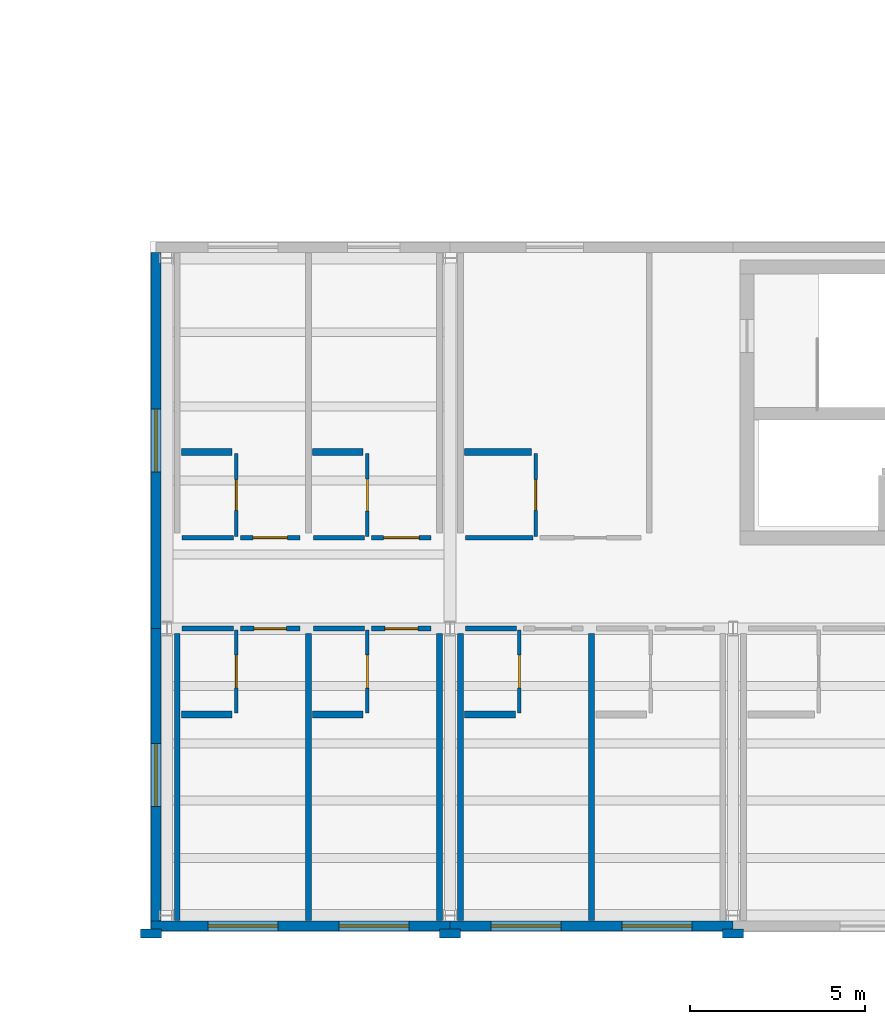
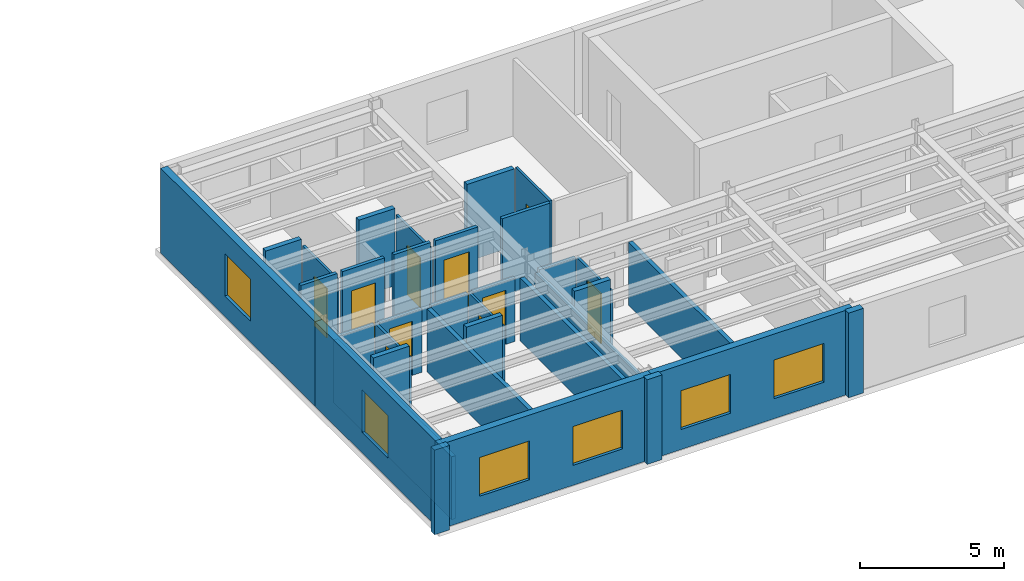
# One storey, part 11 of 27: 34 walls, 10 doors, 6 windows, 16 openings.
"""IFC4 building model written with IfcOpenShell, lengths in metres."""

from ifc_helpers import new_model, si_unit, direction, frame, frame_2d, origin, place, context, subcontext, project, spatial, rectangle, extrude, material, layer, layer_set, type_object, element, fill, save


model = new_model("IFC4")

# Units and contexts
model_context = context("Model", 3, precision=1e-05, world=origin(), true_north=direction((0.0, 1.0)))
body_context = subcontext(model_context, "Body", "Model", "MODEL_VIEW")
ifc_project = project(units=[si_unit("LENGTHUNIT", "METRE"), si_unit("AREAUNIT", "SQUARE_METRE"), si_unit("VOLUMEUNIT", "CUBIC_METRE"), si_unit("PLANEANGLEUNIT", "RADIAN"), si_unit("MASSUNIT", "GRAM", prefix="KILO")], contexts=[model_context])

# Site, building, storey
site_placement = place(None, origin())
site = spatial("IfcSite", under=ifc_project, at=site_placement, CompositionType="ELEMENT")
building_placement = place(site_placement, origin())
building = spatial("IfcBuilding", under=site, at=building_placement, Name="Sollismere Congress Hotel", CompositionType="ELEMENT")
storey_placement = place(building_placement, frame((0.0, 0.0, 27.0)))
storey = spatial("IfcBuildingStorey", under=building, at=storey_placement, Name="L06", CompositionType="ELEMENT", Elevation=27.0)

# Wall, openings, windows
ifc_material_1 = material(Name="Colorado Buff Sandstone Rainscreen on Insulated Backup", Category="masonry")
ifc_layer_1 = layer(ifc_material_1, 0.284912109375, Name="Colorado Buff Sandstone Rainscreen on Insulated Backup")
ifc_layer_set_1 = layer_set([ifc_layer_1], Name="Colorado Buff Sandstone Rainscreen on Insulated Backup")
wall_type_1 = type_object("IfcWallType", Name="WL-EXT285", PredefinedType="STANDARD", material=ifc_layer_set_1)
wall_1_placement = place(storey_placement, frame((33.75, -0.31005859375, 0.0), z_axis=(0.0, 0.0, 1.0), x_axis=(1.0, 0.0, 0.0)))
wall_1 = element("IfcWall", 1, at=wall_1_placement, inside=storey, type_object=wall_type_1, Name="Exterior wall EW-L06-651", PredefinedType="STANDARD", context=body_context, shape_type="SweptSolid", body=[
    extrude(rectangle(XDim=8.550048828125, YDim=0.284912109375, at=frame_2d((4.27490234375, 0.0))), origin(), (0.0, 0.0, 1.0), 3.60009765625),
])
opening_1_placement = place(wall_1_placement, frame((1.625, 0.0, 0.85009765625)))
opening_1 = element("IfcOpeningElement", 2, at=opening_1_placement, cuts=wall_1, Name="Opening W-L06-483", PredefinedType="OPENING", context=body_context, shape_type="SweptSolid", body=[
    extrude(rectangle(XDim=2.0, YDim=1.64990234375, at=frame_2d((1.0, 0.824951171875))), frame((0.0, 0.15234375, 0.0), z_axis=(0.0, -1.0, 0.0), x_axis=(1.0, 0.0, 0.0)), (0.0, 0.0, 1.0), 0.304931640625),
])
opening_2_placement = place(wall_1_placement, frame((5.375, 0.0, 0.85009765625)))
opening_2 = element("IfcOpeningElement", 3, at=opening_2_placement, cuts=wall_1, Name="Opening W-L06-484", PredefinedType="OPENING", context=body_context, shape_type="SweptSolid", body=[
    extrude(rectangle(XDim=2.0, YDim=1.64990234375, at=frame_2d((1.0, 0.824951171875))), frame((0.0, 0.15234375, 0.0), z_axis=(0.0, -1.0, 0.0), x_axis=(1.0, 0.0, 0.0)), (0.0, 0.0, 1.0), 0.304931640625),
])
ifc_material_2 = material(Name="Thermally Broken Bronze Aluminum & Low-E Glass", Category="aluminium")
window_type_1 = type_object("IfcWindowType", Name="WN-P200x165", PartitioningType="SINGLE_PANEL", PredefinedType="WINDOW", material=ifc_material_2)
window_1_placement = place(opening_1_placement, origin())
window_1 = element("IfcWindow", 4, at=window_1_placement, inside=storey, type_object=window_type_1, Name="WIN-W-L06-483", OverallHeight=1.64990234375, OverallWidth=2.0, PartitioningType="SINGLE_PANEL", PredefinedType="WINDOW", context=body_context, shape_type="SweptSolid", body=[
    extrude(rectangle(XDim=2.0, YDim=1.64990234375, at=frame_2d((1.0, 0.824951171875))), frame((0.0, 0.030029296875, 0.0), z_axis=(0.0, -1.0, 0.0), x_axis=(1.0, 0.0, 0.0)), (0.0, 0.0, 1.0), 0.06005859375),
])
fill(opening_1, window_1)
window_2_placement = place(opening_2_placement, origin())
window_2 = element("IfcWindow", 5, at=window_2_placement, inside=storey, type_object=window_type_1, Name="WIN-W-L06-484", OverallHeight=1.64990234375, OverallWidth=2.0, PartitioningType="SINGLE_PANEL", PredefinedType="WINDOW", context=body_context, shape_type="SweptSolid", body=[
    extrude(rectangle(XDim=2.0, YDim=1.64990234375, at=frame_2d((1.0, 0.824951171875))), frame((0.0, 0.030029296875, 0.0), z_axis=(0.0, -1.0, 0.0), x_axis=(1.0, 0.0, 0.0)), (0.0, 0.0, 1.0), 0.06005859375),
])
fill(opening_2, window_2)

wall_2_placement = place(storey_placement, frame((42.300048828125, -0.31005859375, 0.0), z_axis=(0.0, 0.0, 1.0), x_axis=(1.0, 0.0, 0.0)))
wall_2 = element("IfcWall", 6, at=wall_2_placement, inside=storey, type_object=wall_type_1, Name="Exterior wall EW-L06-653", PredefinedType="STANDARD", context=body_context, shape_type="SweptSolid", body=[
    extrude(rectangle(XDim=8.099853515625, YDim=0.284912109375, at=frame_2d((4.0498046875, 0.0))), origin(), (0.0, 0.0, 1.0), 3.60009765625),
])
opening_3_placement = place(wall_2_placement, frame((1.175048828125, 0.0, 0.85009765625)))
opening_3 = element("IfcOpeningElement", 7, at=opening_3_placement, cuts=wall_2, Name="Opening W-L06-485", PredefinedType="OPENING", context=body_context, shape_type="SweptSolid", body=[
    extrude(rectangle(XDim=2.0, YDim=1.64990234375, at=frame_2d((1.0, 0.824951171875))), frame((0.0, 0.15234375, 0.0), z_axis=(0.0, -1.0, 0.0), x_axis=(1.0, 0.0, 0.0)), (0.0, 0.0, 1.0), 0.304931640625),
])
opening_4_placement = place(wall_2_placement, frame((4.925048828125, 0.0, 0.85009765625)))
opening_4 = element("IfcOpeningElement", 8, at=opening_4_placement, cuts=wall_2, Name="Opening W-L06-486", PredefinedType="OPENING", context=body_context, shape_type="SweptSolid", body=[
    extrude(rectangle(XDim=2.0, YDim=1.64990234375, at=frame_2d((1.0, 0.824951171875))), frame((0.0, 0.15234375, 0.0), z_axis=(0.0, -1.0, 0.0), x_axis=(1.0, 0.0, 0.0)), (0.0, 0.0, 1.0), 0.304931640625),
])
window_3_placement = place(opening_3_placement, origin())
window_3 = element("IfcWindow", 9, at=window_3_placement, inside=storey, type_object=window_type_1, Name="WIN-W-L06-485", OverallHeight=1.64990234375, OverallWidth=2.0, PartitioningType="SINGLE_PANEL", PredefinedType="WINDOW", context=body_context, shape_type="SweptSolid", body=[
    extrude(rectangle(XDim=2.0, YDim=1.64990234375, at=frame_2d((1.0, 0.824951171875))), frame((0.0, 0.030029296875, 0.0), z_axis=(0.0, -1.0, 0.0), x_axis=(1.0, 0.0, 0.0)), (0.0, 0.0, 1.0), 0.06005859375),
])
fill(opening_3, window_3)
window_4_placement = place(opening_4_placement, origin())
window_4 = element("IfcWindow", 10, at=window_4_placement, inside=storey, type_object=window_type_1, Name="WIN-W-L06-486", OverallHeight=1.64990234375, OverallWidth=2.0, PartitioningType="SINGLE_PANEL", PredefinedType="WINDOW", context=body_context, shape_type="SweptSolid", body=[
    extrude(rectangle(XDim=2.0, YDim=1.64990234375, at=frame_2d((1.0, 0.824951171875))), frame((0.0, 0.030029296875, 0.0), z_axis=(0.0, -1.0, 0.0), x_axis=(1.0, 0.0, 0.0)), (0.0, 0.0, 1.0), 0.06005859375),
])
fill(opening_4, window_4)

# Wall, opening, window
wall_3_placement = place(storey_placement, frame((33.889892578125, 8.199951171875, 0.0), z_axis=(0.0, 0.0, 1.0), x_axis=(0.0, -1.0, 0.0)))
wall_3 = element("IfcWall", 11, at=wall_3_placement, inside=storey, type_object=wall_type_1, Name="Exterior wall EW-L06-734", PredefinedType="STANDARD", context=body_context, shape_type="SweptSolid", body=[
    extrude(rectangle(XDim=8.365478515625, YDim=0.284912109375, at=frame_2d((4.1826171875, 0.0))), origin(), (0.0, 0.0, 1.0), 3.60009765625),
])
opening_5_placement = place(wall_3_placement, frame((3.28271484375, 0.0, 0.8798828125)))
opening_5 = element("IfcOpeningElement", 12, at=opening_5_placement, cuts=wall_3, Name="Opening W-L06-536", PredefinedType="OPENING", context=body_context, shape_type="SweptSolid", body=[
    extrude(rectangle(XDim=1.800048828125, YDim=1.800048828125, at=frame_2d((0.89990234375, 0.89990234375))), frame((0.0, 0.15234375, 0.0), z_axis=(0.0, -1.0, 0.0), x_axis=(1.0, 0.0, 0.0)), (0.0, 0.0, 1.0), 0.304931640625),
])
window_type_2 = type_object("IfcWindowType", Name="WN-P180x180", PartitioningType="SINGLE_PANEL", PredefinedType="WINDOW", material=ifc_material_2)
window_5_placement = place(opening_5_placement, origin())
window_5 = element("IfcWindow", 13, at=window_5_placement, inside=storey, type_object=window_type_2, Name="WIN-W-L06-536", OverallHeight=1.800048828125, OverallWidth=1.800048828125, PartitioningType="SINGLE_PANEL", PredefinedType="WINDOW", context=body_context, shape_type="SweptSolid", body=[
    extrude(rectangle(XDim=1.800048828125, YDim=1.800048828125, at=frame_2d((0.89990234375, 0.89990234375))), frame((0.0, 0.030029296875, 0.0), z_axis=(0.0, -1.0, 0.0), x_axis=(1.0, 0.0, 0.0)), (0.0, 0.0, 1.0), 0.06005859375),
])
fill(opening_5, window_5)

wall_4_placement = place(storey_placement, frame((33.889892578125, 18.965576171875, 0.0), z_axis=(0.0, 0.0, 1.0), x_axis=(0.0, -1.0, 0.0)))
wall_4 = element("IfcWall", 14, at=wall_4_placement, inside=storey, type_object=wall_type_1, Name="Exterior wall EW-L06-735", PredefinedType="STANDARD", context=body_context, shape_type="SweptSolid", body=[
    extrude(rectangle(XDim=10.765625, YDim=0.284912109375, at=frame_2d((5.3828125, 0.0))), origin(), (0.0, 0.0, 1.0), 3.60009765625),
])
opening_6_placement = place(wall_4_placement, frame((4.482666015625, 0.0, 0.8798828125)))
opening_6 = element("IfcOpeningElement", 15, at=opening_6_placement, cuts=wall_4, Name="Opening W-L06-537", PredefinedType="OPENING", context=body_context, shape_type="SweptSolid", body=[
    extrude(rectangle(XDim=1.800048828125, YDim=1.800048828125, at=frame_2d((0.89990234375, 0.89990234375))), frame((0.0, 0.15234375, 0.0), z_axis=(0.0, -1.0, 0.0), x_axis=(1.0, 0.0, 0.0)), (0.0, 0.0, 1.0), 0.304931640625),
])
window_6_placement = place(opening_6_placement, origin())
window_6 = element("IfcWindow", 16, at=window_6_placement, inside=storey, type_object=window_type_2, Name="WIN-W-L06-537", OverallHeight=1.800048828125, OverallWidth=1.800048828125, PartitioningType="SINGLE_PANEL", PredefinedType="WINDOW", context=body_context, shape_type="SweptSolid", body=[
    extrude(rectangle(XDim=1.800048828125, YDim=1.800048828125, at=frame_2d((0.89990234375, 0.89990234375))), frame((0.0, 0.030029296875, 0.0), z_axis=(0.0, -1.0, 0.0), x_axis=(1.0, 0.0, 0.0)), (0.0, 0.0, 1.0), 0.06005859375),
])
fill(opening_6, window_6)

# Walls
ifc_material_3 = material(Name="Carved Travertine Pilaster & Frieze Assembly", Category="masonry")
ifc_layer_2 = layer(ifc_material_3, 0.260009765625, Name="Carved Travertine Pilaster & Frieze Assembly")
ifc_layer_set_2 = layer_set([ifc_layer_2], Name="Carved Travertine Pilaster & Frieze Assembly")
wall_type_2 = type_object("IfcWallType", Name="WL-PIL280", PredefinedType="ELEMENTEDWALL", material=ifc_layer_set_2)
for number, where, z_axis, x_axis, name in (
    (17, (33.449951171875, -0.52001953125, 0.0), (0.0, 0.0, 1.0), (1.0, 0.0, 0.0), "Exterior wall EW-L06-652"),
    (18, (42.0, -0.52001953125, 0.0), (0.0, 0.0, 1.0), (1.0, 0.0, 0.0), "Exterior wall EW-L06-654"),
):
    element("IfcWall", number, at=place(storey_placement, frame(where, z_axis=z_axis, x_axis=x_axis)), inside=storey, type_object=wall_type_2, Name=name, PredefinedType="ELEMENTEDWALL", context=body_context, shape_type="SweptSolid", body=[
        extrude(rectangle(XDim=0.60009765625, YDim=0.260009765625, at=frame_2d((0.300048828125, 0.0))), origin(), (0.0, 0.0, 1.0), 3.60009765625),
    ])
wall_5_placement = place(storey_placement, frame((50.10009765625, -0.52001953125, 0.0), z_axis=(0.0, 0.0, 1.0), x_axis=(1.0, 0.0, 0.0)))
element("IfcWall", 19, at=wall_5_placement, inside=storey, type_object=wall_type_2, Name="Exterior wall EW-L06-656", PredefinedType="ELEMENTEDWALL", context=body_context, shape_type="SweptSolid", body=[
    extrude(rectangle(XDim=0.599853515625, YDim=0.260009765625, at=frame_2d((0.2998046875, 0.0))), origin(), (0.0, 0.0, 1.0), 3.60009765625),
])
ifc_material_4 = material(Name="Moisture-Resistant Shaft Gypsum Assembly")
ifc_layer_3 = layer(ifc_material_4, 0.199951171875, Name="Moisture-Resistant Shaft Gypsum Assembly")
ifc_layer_set_3 = layer_set([ifc_layer_3], Name="Moisture-Resistant Shaft Gypsum Assembly")
wall_type_3 = type_object("IfcWallType", Name="WL-PLM200", PredefinedType="PLUMBINGWALL", material=ifc_layer_set_3)
for number, where, z_axis, x_axis, name in (
    (20, (34.6201171875, 5.75, 0.0), (0.0, 0.0, 1.0), (1.0, 0.0, 0.0), "Interior wall IW-L06-1966"),
    (21, (38.3701171875, 5.75, 0.0), (0.0, 0.0, 1.0), (1.0, 0.0, 0.0), "Interior wall IW-L06-1971"),
    (22, (34.6201171875, 13.25, 0.0), (0.0, 0.0, 1.0), (1.0, 0.0, 0.0), "Interior wall IW-L06-1977"),
    (23, (38.3701171875, 13.25, 0.0), (0.0, 0.0, 1.0), (1.0, 0.0, 0.0), "Interior wall IW-L06-1982"),
    (24, (42.719970703125, 5.75, 0.0), (0.0, 0.0, 1.0), (1.0, 0.0, 0.0), "Interior wall IW-L06-1988"),
):
    element("IfcWall", number, at=place(storey_placement, frame(where, z_axis=z_axis, x_axis=x_axis)), inside=storey, type_object=wall_type_3, Name=name, PredefinedType="PLUMBINGWALL", context=body_context, shape_type="SweptSolid", body=[
        extrude(rectangle(XDim=1.447998046875, YDim=0.199951171875, at=frame_2d((0.72412109375, 0.0))), origin(), (0.0, 0.0, 1.0), 3.2900390625),
    ])
wall_6_placement = place(storey_placement, frame((42.719970703125, 13.25, 0.0), z_axis=(0.0, 0.0, 1.0), x_axis=(1.0, 0.0, 0.0)))
element("IfcWall", 25, at=wall_6_placement, inside=storey, type_object=wall_type_3, Name="Interior wall IW-L06-1999", PredefinedType="PLUMBINGWALL", context=body_context, shape_type="SweptSolid", body=[
    extrude(rectangle(XDim=1.909912109375, YDim=0.199951171875, at=frame_2d((0.955078125, 0.0))), origin(), (0.0, 0.0, 1.0), 3.2900390625),
])

# Wall, opening, door
ifc_material_5 = material(Name="Moisture-Resistant Gypsum Partition")
ifc_layer_4 = layer(ifc_material_5, 0.10009765625, Name="Moisture-Resistant Gypsum Partition")
ifc_layer_set_4 = layer_set([ifc_layer_4], Name="Moisture-Resistant Gypsum Partition")
wall_type_4 = type_object("IfcWallType", Name="WL-PRT100", PredefinedType="PARTITIONING", material=ifc_layer_set_4)
wall_7_placement = place(storey_placement, frame((36.18798828125, 5.7900390625, 0.0), z_axis=(0.0, 0.0, 1.0), x_axis=(0.0, 1.0, 0.0)))
wall_7 = element("IfcWall", 26, at=wall_7_placement, inside=storey, type_object=wall_type_4, Name="Interior wall IW-L06-1965", PredefinedType="PARTITIONING", context=body_context, shape_type="SweptSolid", body=[
    extrude(rectangle(XDim=2.369873046875, YDim=0.10009765625, at=frame_2d((1.18505859375, 0.0))), origin(), (0.0, 0.0, 1.0), 2.702880859375),
])
opening_7_placement = place(wall_7_placement, frame((0.719970703125, 0.0, 0.0)))
opening_7 = element("IfcOpeningElement", 27, at=opening_7_placement, cuts=wall_7, Name="Opening D-L06-0693", PredefinedType="OPENING", context=body_context, shape_type="SweptSolid", body=[
    extrude(rectangle(XDim=0.929931640625, YDim=2.219970703125, at=frame_2d((0.46484375, 1.10986328125))), frame((0.0, 0.06005859375, 0.0), z_axis=(0.0, -1.0, 0.0), x_axis=(1.0, 0.0, 0.0)), (0.0, 0.0, 1.0), 0.1201171875),
])
ifc_material_6 = material(Name="Moisture-Sealed Timber Bathroom Door", Category="wood")
door_type_1 = type_object("IfcDoorType", Name="DR-BT07", OperationType="NOTDEFINED", PredefinedType="DOOR", material=ifc_material_6)
door_1_placement = place(opening_7_placement, origin())
door_1 = element("IfcDoor", 28, at=door_1_placement, inside=storey, type_object=door_type_1, Name="En-suite bathroom door D-L06-0693", OperationType="SINGLE_SWING_RIGHT", OverallHeight=2.219970703125, OverallWidth=0.929931640625, PredefinedType="DOOR", context=body_context, shape_type="SweptSolid", body=[
    extrude(rectangle(XDim=0.929931640625, YDim=2.219970703125, at=frame_2d((0.46484375, 1.10986328125))), frame((0.0, 0.02490234375, 0.0), z_axis=(0.0, -1.0, 0.0), x_axis=(1.0, 0.0, 0.0)), (0.0, 0.0, 1.0), 0.050048828125),
])
fill(opening_7, door_1)

wall_8_placement = place(storey_placement, frame((39.93798828125, 5.7900390625, 0.0), z_axis=(0.0, 0.0, 1.0), x_axis=(0.0, 1.0, 0.0)))
wall_8 = element("IfcWall", 29, at=wall_8_placement, inside=storey, type_object=wall_type_4, Name="Interior wall IW-L06-1970", PredefinedType="PARTITIONING", context=body_context, shape_type="SweptSolid", body=[
    extrude(rectangle(XDim=2.369873046875, YDim=0.10009765625, at=frame_2d((1.18505859375, 0.0))), origin(), (0.0, 0.0, 1.0), 2.702880859375),
])
opening_8_placement = place(wall_8_placement, frame((0.7080078125, 0.0, 0.0)))
opening_8 = element("IfcOpeningElement", 30, at=opening_8_placement, cuts=wall_8, Name="Opening D-L06-0695", PredefinedType="OPENING", context=body_context, shape_type="SweptSolid", body=[
    extrude(rectangle(XDim=0.955078125, YDim=2.219970703125, at=frame_2d((0.4775390625, 1.10986328125))), frame((0.0, 0.06005859375, 0.0), z_axis=(0.0, -1.0, 0.0), x_axis=(1.0, 0.0, 0.0)), (0.0, 0.0, 1.0), 0.1201171875),
])
door_type_2 = type_object("IfcDoorType", Name="DR-BT08", OperationType="NOTDEFINED", PredefinedType="DOOR", material=ifc_material_6)
door_2_placement = place(opening_8_placement, origin())
door_2 = element("IfcDoor", 31, at=door_2_placement, inside=storey, type_object=door_type_2, Name="En-suite bathroom door D-L06-0695", OperationType="SINGLE_SWING_RIGHT", OverallHeight=2.219970703125, OverallWidth=0.955078125, PredefinedType="DOOR", context=body_context, shape_type="SweptSolid", body=[
    extrude(rectangle(XDim=0.955078125, YDim=2.219970703125, at=frame_2d((0.4775390625, 1.10986328125))), frame((0.0, 0.02490234375, 0.0), z_axis=(0.0, -1.0, 0.0), x_axis=(1.0, 0.0, 0.0)), (0.0, 0.0, 1.0), 0.050048828125),
])
fill(opening_8, door_2)

wall_9_placement = place(storey_placement, frame((36.18798828125, 10.840087890625, 0.0), z_axis=(0.0, 0.0, 1.0), x_axis=(0.0, 1.0, 0.0)))
wall_9 = element("IfcWall", 32, at=wall_9_placement, inside=storey, type_object=wall_type_4, Name="Interior wall IW-L06-1976", PredefinedType="PARTITIONING", context=body_context, shape_type="SweptSolid", body=[
    extrude(rectangle(XDim=2.369873046875, YDim=0.10009765625, at=frame_2d((1.18505859375, 0.0))), origin(), (0.0, 0.0, 1.0), 2.958984375),
])
opening_9_placement = place(wall_9_placement, frame((0.7451171875, 0.0, 0.0)))
opening_9 = element("IfcOpeningElement", 33, at=opening_9_placement, cuts=wall_9, Name="Opening D-L06-0697", PredefinedType="OPENING", context=body_context, shape_type="SweptSolid", body=[
    extrude(rectangle(XDim=0.8798828125, YDim=2.10009765625, at=frame_2d((0.43994140625, 1.050048828125))), frame((0.0, 0.06005859375, 0.0), z_axis=(0.0, -1.0, 0.0), x_axis=(1.0, 0.0, 0.0)), (0.0, 0.0, 1.0), 0.1201171875),
])
door_type_3 = type_object("IfcDoorType", Name="DR-BT01", OperationType="NOTDEFINED", PredefinedType="DOOR", material=ifc_material_6)
door_3_placement = place(opening_9_placement, origin())
door_3 = element("IfcDoor", 34, at=door_3_placement, inside=storey, type_object=door_type_3, Name="En-suite bathroom door D-L06-0697", OperationType="SINGLE_SWING_RIGHT", OverallHeight=2.10009765625, OverallWidth=0.8798828125, PredefinedType="DOOR", context=body_context, shape_type="SweptSolid", body=[
    extrude(rectangle(XDim=0.8798828125, YDim=2.10009765625, at=frame_2d((0.43994140625, 1.050048828125))), frame((0.0, 0.02490234375, 0.0), z_axis=(0.0, -1.0, 0.0), x_axis=(1.0, 0.0, 0.0)), (0.0, 0.0, 1.0), 0.050048828125),
])
fill(opening_9, door_3)

wall_10_placement = place(storey_placement, frame((39.93798828125, 10.840087890625, 0.0), z_axis=(0.0, 0.0, 1.0), x_axis=(0.0, 1.0, 0.0)))
wall_10 = element("IfcWall", 35, at=wall_10_placement, inside=storey, type_object=wall_type_4, Name="Interior wall IW-L06-1981", PredefinedType="PARTITIONING", context=body_context, shape_type="SweptSolid", body=[
    extrude(rectangle(XDim=2.369873046875, YDim=0.10009765625, at=frame_2d((1.18505859375, 0.0))), origin(), (0.0, 0.0, 1.0), 2.958984375),
])
opening_10_placement = place(wall_10_placement, frame((0.73291015625, 0.0, 0.0)))
opening_10 = element("IfcOpeningElement", 36, at=opening_10_placement, cuts=wall_10, Name="Opening D-L06-0699", PredefinedType="OPENING", context=body_context, shape_type="SweptSolid", body=[
    extrude(rectangle(XDim=0.905029296875, YDim=2.10009765625, at=frame_2d((0.45263671875, 1.050048828125))), frame((0.0, 0.06005859375, 0.0), z_axis=(0.0, -1.0, 0.0), x_axis=(1.0, 0.0, 0.0)), (0.0, 0.0, 1.0), 0.1201171875),
])
door_type_4 = type_object("IfcDoorType", Name="DR-BT02", OperationType="NOTDEFINED", PredefinedType="DOOR", material=ifc_material_6)
door_4_placement = place(opening_10_placement, origin())
door_4 = element("IfcDoor", 37, at=door_4_placement, inside=storey, type_object=door_type_4, Name="En-suite bathroom door D-L06-0699", OperationType="SINGLE_SWING_RIGHT", OverallHeight=2.10009765625, OverallWidth=0.905029296875, PredefinedType="DOOR", context=body_context, shape_type="SweptSolid", body=[
    extrude(rectangle(XDim=0.905029296875, YDim=2.10009765625, at=frame_2d((0.45263671875, 1.050048828125))), frame((0.0, 0.02490234375, 0.0), z_axis=(0.0, -1.0, 0.0), x_axis=(1.0, 0.0, 0.0)), (0.0, 0.0, 1.0), 0.050048828125),
])
fill(opening_10, door_4)

wall_11_placement = place(storey_placement, frame((44.2880859375, 5.7900390625, 0.0), z_axis=(0.0, 0.0, 1.0), x_axis=(0.0, 1.0, 0.0)))
wall_11 = element("IfcWall", 38, at=wall_11_placement, inside=storey, type_object=wall_type_4, Name="Interior wall IW-L06-1987", PredefinedType="PARTITIONING", context=body_context, shape_type="SweptSolid", body=[
    extrude(rectangle(XDim=2.369873046875, YDim=0.10009765625, at=frame_2d((1.18505859375, 0.0))), origin(), (0.0, 0.0, 1.0), 2.702880859375),
])
opening_11_placement = place(wall_11_placement, frame((0.719970703125, 0.0, 0.0)))
opening_11 = element("IfcOpeningElement", 39, at=opening_11_placement, cuts=wall_11, Name="Opening D-L06-0701", PredefinedType="OPENING", context=body_context, shape_type="SweptSolid", body=[
    extrude(rectangle(XDim=0.929931640625, YDim=2.139892578125, at=frame_2d((0.46484375, 1.06982421875))), frame((0.0, 0.06005859375, 0.0), z_axis=(0.0, -1.0, 0.0), x_axis=(1.0, 0.0, 0.0)), (0.0, 0.0, 1.0), 0.1201171875),
])
door_type_5 = type_object("IfcDoorType", Name="DR-BT03", OperationType="NOTDEFINED", PredefinedType="DOOR", material=ifc_material_6)
door_5_placement = place(opening_11_placement, origin())
door_5 = element("IfcDoor", 40, at=door_5_placement, inside=storey, type_object=door_type_5, Name="En-suite bathroom door D-L06-0701", OperationType="SINGLE_SWING_RIGHT", OverallHeight=2.139892578125, OverallWidth=0.929931640625, PredefinedType="DOOR", context=body_context, shape_type="SweptSolid", body=[
    extrude(rectangle(XDim=0.929931640625, YDim=2.139892578125, at=frame_2d((0.46484375, 1.06982421875))), frame((0.0, 0.02490234375, 0.0), z_axis=(0.0, -1.0, 0.0), x_axis=(1.0, 0.0, 0.0)), (0.0, 0.0, 1.0), 0.050048828125),
])
fill(opening_11, door_5)

wall_12_placement = place(storey_placement, frame((44.75, 10.840087890625, 0.0), z_axis=(0.0, 0.0, 1.0), x_axis=(0.0, 1.0, 0.0)))
wall_12 = element("IfcWall", 41, at=wall_12_placement, inside=storey, type_object=wall_type_4, Name="Interior wall IW-L06-1998", PredefinedType="PARTITIONING", context=body_context, shape_type="SweptSolid", body=[
    extrude(rectangle(XDim=2.369873046875, YDim=0.10009765625, at=frame_2d((1.18505859375, 0.0))), origin(), (0.0, 0.0, 1.0), 3.2900390625),
])
opening_12_placement = place(wall_12_placement, frame((0.7451171875, 0.0, 0.0)))
opening_12 = element("IfcOpeningElement", 42, at=opening_12_placement, cuts=wall_12, Name="Opening D-L06-0705", PredefinedType="OPENING", context=body_context, shape_type="SweptSolid", body=[
    extrude(rectangle(XDim=0.8798828125, YDim=2.179931640625, at=frame_2d((0.43994140625, 1.08984375))), frame((0.0, 0.06005859375, 0.0), z_axis=(0.0, -1.0, 0.0), x_axis=(1.0, 0.0, 0.0)), (0.0, 0.0, 1.0), 0.1201171875),
])
door_type_6 = type_object("IfcDoorType", Name="DR-BT05", OperationType="NOTDEFINED", PredefinedType="DOOR", material=ifc_material_6)
door_6_placement = place(opening_12_placement, origin())
door_6 = element("IfcDoor", 43, at=door_6_placement, inside=storey, type_object=door_type_6, Name="En-suite bathroom door D-L06-0705", OperationType="SINGLE_SWING_RIGHT", OverallHeight=2.179931640625, OverallWidth=0.8798828125, PredefinedType="DOOR", context=body_context, shape_type="SweptSolid", body=[
    extrude(rectangle(XDim=0.8798828125, YDim=2.179931640625, at=frame_2d((0.43994140625, 1.08984375))), frame((0.0, 0.02490234375, 0.0), z_axis=(0.0, -1.0, 0.0), x_axis=(1.0, 0.0, 0.0)), (0.0, 0.0, 1.0), 0.050048828125),
])
fill(opening_12, door_6)

# Wall
ifc_material_7 = material(Name="Fire-Rated Gypsum Partition")
ifc_layer_5 = layer(ifc_material_7, 0.139892578125, Name="Fire-Rated Gypsum Partition")
ifc_layer_set_5 = layer_set([ifc_layer_5], Name="Fire-Rated Gypsum Partition")
wall_type_5 = type_object("IfcWallType", Name="WL-PRT140R", PredefinedType="PARTITIONING", material=ifc_layer_set_5)
wall_13_placement = place(storey_placement, frame((34.639892578125, 8.199951171875, 0.0), z_axis=(0.0, 0.0, 1.0), x_axis=(1.0, 0.0, 0.0)))
element("IfcWall", 44, at=wall_13_placement, inside=storey, type_object=wall_type_5, Name="Interior wall IW-L06-1961", PredefinedType="PARTITIONING", context=body_context, shape_type="SweptSolid", body=[
    extrude(rectangle(XDim=1.468017578125, YDim=0.139892578125, at=frame_2d((0.73388671875, 0.0))), origin(), (0.0, 0.0, 1.0), 2.702880859375),
])

# Wall, opening, door
wall_14_placement = place(storey_placement, frame((36.30810546875, 8.199951171875, 0.0), z_axis=(0.0, 0.0, 1.0), x_axis=(1.0, 0.0, 0.0)))
wall_14 = element("IfcWall", 45, at=wall_14_placement, inside=storey, type_object=wall_type_5, Name="Interior wall IW-L06-1962", PredefinedType="PARTITIONING", context=body_context, shape_type="SweptSolid", body=[
    extrude(rectangle(XDim=1.701904296875, YDim=0.139892578125, at=frame_2d((0.85107421875, 0.0))), origin(), (0.0, 0.0, 1.0), 2.702880859375),
])
opening_13_placement = place(wall_14_placement, frame((0.39111328125, 0.0, 0.0)))
opening_13 = element("IfcOpeningElement", 46, at=opening_13_placement, cuts=wall_14, Name="Opening D-L06-0692", PredefinedType="OPENING", context=body_context, shape_type="SweptSolid", body=[
    extrude(rectangle(XDim=0.919921875, YDim=2.300048828125, at=frame_2d((0.4599609375, 1.14990234375))), frame((0.0, 0.079833984375, 0.0), z_axis=(0.0, -1.0, 0.0), x_axis=(1.0, 0.0, 0.0)), (0.0, 0.0, 1.0), 0.159912109375),
])
ifc_material_8 = material(Name="Solid-Core Acoustic Walnut Guestroom Entry Door")
door_type_7 = type_object("IfcDoorType", Name="DR-KY07", OperationType="NOTDEFINED", PredefinedType="DOOR", material=ifc_material_8)
door_7_placement = place(opening_13_placement, origin())
door_7 = element("IfcDoor", 47, at=door_7_placement, inside=storey, type_object=door_type_7, Name="Hotel room entry door D-L06-0692", OperationType="SINGLE_SWING_LEFT", OverallHeight=2.300048828125, OverallWidth=0.919921875, PredefinedType="DOOR", context=body_context, shape_type="SweptSolid", body=[
    extrude(rectangle(XDim=0.919921875, YDim=2.300048828125, at=frame_2d((0.4599609375, 1.14990234375))), frame((0.0, 0.02490234375, 0.0), z_axis=(0.0, -1.0, 0.0), x_axis=(1.0, 0.0, 0.0)), (0.0, 0.0, 1.0), 0.050048828125),
])
fill(opening_13, door_7)

# Wall
wall_15_placement = place(storey_placement, frame((38.389892578125, 8.199951171875, 0.0), z_axis=(0.0, 0.0, 1.0), x_axis=(1.0, 0.0, 0.0)))
element("IfcWall", 48, at=wall_15_placement, inside=storey, type_object=wall_type_5, Name="Interior wall IW-L06-1967", PredefinedType="PARTITIONING", context=body_context, shape_type="SweptSolid", body=[
    extrude(rectangle(XDim=1.468017578125, YDim=0.139892578125, at=frame_2d((0.73388671875, 0.0))), origin(), (0.0, 0.0, 1.0), 2.702880859375),
])

# Wall, opening, door
wall_16_placement = place(storey_placement, frame((40.05810546875, 8.199951171875, 0.0), z_axis=(0.0, 0.0, 1.0), x_axis=(1.0, 0.0, 0.0)))
wall_16 = element("IfcWall", 49, at=wall_16_placement, inside=storey, type_object=wall_type_5, Name="Interior wall IW-L06-1968", PredefinedType="PARTITIONING", context=body_context, shape_type="SweptSolid", body=[
    extrude(rectangle(XDim=1.701904296875, YDim=0.139892578125, at=frame_2d((0.85107421875, 0.0))), origin(), (0.0, 0.0, 1.0), 2.702880859375),
])
opening_14_placement = place(wall_16_placement, frame((0.3759765625, 0.0, 0.0)))
opening_14 = element("IfcOpeningElement", 50, at=opening_14_placement, cuts=wall_16, Name="Opening D-L06-0694", PredefinedType="OPENING", context=body_context, shape_type="SweptSolid", body=[
    extrude(rectangle(XDim=0.949951171875, YDim=2.300048828125, at=frame_2d((0.47509765625, 1.14990234375))), frame((0.0, 0.079833984375, 0.0), z_axis=(0.0, -1.0, 0.0), x_axis=(1.0, 0.0, 0.0)), (0.0, 0.0, 1.0), 0.159912109375),
])
door_type_8 = type_object("IfcDoorType", Name="DR-KY08", OperationType="NOTDEFINED", PredefinedType="DOOR", material=ifc_material_8)
door_8_placement = place(opening_14_placement, origin())
door_8 = element("IfcDoor", 51, at=door_8_placement, inside=storey, type_object=door_type_8, Name="Hotel room entry door D-L06-0694", OperationType="SINGLE_SWING_LEFT", OverallHeight=2.300048828125, OverallWidth=0.949951171875, PredefinedType="DOOR", context=body_context, shape_type="SweptSolid", body=[
    extrude(rectangle(XDim=0.949951171875, YDim=2.300048828125, at=frame_2d((0.47509765625, 1.14990234375))), frame((0.0, 0.02490234375, 0.0), z_axis=(0.0, -1.0, 0.0), x_axis=(1.0, 0.0, 0.0)), (0.0, 0.0, 1.0), 0.050048828125),
])
fill(opening_14, door_8)

# Wall
wall_17_placement = place(storey_placement, frame((34.639892578125, 10.800048828125, 0.0), z_axis=(0.0, 0.0, 1.0), x_axis=(1.0, 0.0, 0.0)))
element("IfcWall", 52, at=wall_17_placement, inside=storey, type_object=wall_type_5, Name="Interior wall IW-L06-1972", PredefinedType="PARTITIONING", context=body_context, shape_type="SweptSolid", body=[
    extrude(rectangle(XDim=1.468017578125, YDim=0.139892578125, at=frame_2d((0.73388671875, 0.0))), origin(), (0.0, 0.0, 1.0), 3.2900390625),
])

# Wall, opening, door
wall_18_placement = place(storey_placement, frame((36.30810546875, 10.800048828125, 0.0), z_axis=(0.0, 0.0, 1.0), x_axis=(1.0, 0.0, 0.0)))
wall_18 = element("IfcWall", 53, at=wall_18_placement, inside=storey, type_object=wall_type_5, Name="Interior wall IW-L06-1973", PredefinedType="PARTITIONING", context=body_context, shape_type="SweptSolid", body=[
    extrude(rectangle(XDim=1.701904296875, YDim=0.139892578125, at=frame_2d((0.85107421875, 0.0))), origin(), (0.0, 0.0, 1.0), 3.2900390625),
])
opening_15_placement = place(wall_18_placement, frame((0.361083984375, 0.0, 0.0)))
opening_15 = element("IfcOpeningElement", 54, at=opening_15_placement, cuts=wall_18, Name="Opening D-L06-0696", PredefinedType="OPENING", context=body_context, shape_type="SweptSolid", body=[
    extrude(rectangle(XDim=0.97998046875, YDim=2.35009765625, at=frame_2d((0.489990234375, 1.175048828125))), frame((0.0, 0.079833984375, 0.0), z_axis=(0.0, -1.0, 0.0), x_axis=(1.0, 0.0, 0.0)), (0.0, 0.0, 1.0), 0.159912109375),
])
door_type_9 = type_object("IfcDoorType", Name="DR-KY09", OperationType="NOTDEFINED", PredefinedType="DOOR", material=ifc_material_8)
door_9_placement = place(opening_15_placement, origin())
door_9 = element("IfcDoor", 55, at=door_9_placement, inside=storey, type_object=door_type_9, Name="Hotel room entry door D-L06-0696", OperationType="SINGLE_SWING_LEFT", OverallHeight=2.35009765625, OverallWidth=0.97998046875, PredefinedType="DOOR", context=body_context, shape_type="SweptSolid", body=[
    extrude(rectangle(XDim=0.97998046875, YDim=2.35009765625, at=frame_2d((0.489990234375, 1.175048828125))), frame((0.0, 0.02490234375, 0.0), z_axis=(0.0, -1.0, 0.0), x_axis=(1.0, 0.0, 0.0)), (0.0, 0.0, 1.0), 0.050048828125),
])
fill(opening_15, door_9)

# Wall
wall_19_placement = place(storey_placement, frame((38.389892578125, 10.800048828125, 0.0), z_axis=(0.0, 0.0, 1.0), x_axis=(1.0, 0.0, 0.0)))
element("IfcWall", 56, at=wall_19_placement, inside=storey, type_object=wall_type_5, Name="Interior wall IW-L06-1978", PredefinedType="PARTITIONING", context=body_context, shape_type="SweptSolid", body=[
    extrude(rectangle(XDim=1.468017578125, YDim=0.139892578125, at=frame_2d((0.73388671875, 0.0))), origin(), (0.0, 0.0, 1.0), 3.2900390625),
])

# Wall, opening, door
wall_20_placement = place(storey_placement, frame((40.05810546875, 10.800048828125, 0.0), z_axis=(0.0, 0.0, 1.0), x_axis=(1.0, 0.0, 0.0)))
wall_20 = element("IfcWall", 57, at=wall_20_placement, inside=storey, type_object=wall_type_5, Name="Interior wall IW-L06-1979", PredefinedType="PARTITIONING", context=body_context, shape_type="SweptSolid", body=[
    extrude(rectangle(XDim=1.701904296875, YDim=0.139892578125, at=frame_2d((0.85107421875, 0.0))), origin(), (0.0, 0.0, 1.0), 3.2900390625),
])
opening_16_placement = place(wall_20_placement, frame((0.345947265625, 0.0, 0.0)))
opening_16 = element("IfcOpeningElement", 58, at=opening_16_placement, cuts=wall_20, Name="Opening D-L06-0698", PredefinedType="OPENING", context=body_context, shape_type="SweptSolid", body=[
    extrude(rectangle(XDim=1.010009765625, YDim=2.35009765625, at=frame_2d((0.5048828125, 1.175048828125))), frame((0.0, 0.079833984375, 0.0), z_axis=(0.0, -1.0, 0.0), x_axis=(1.0, 0.0, 0.0)), (0.0, 0.0, 1.0), 0.159912109375),
])
door_type_10 = type_object("IfcDoorType", Name="DR-KY10", OperationType="NOTDEFINED", PredefinedType="DOOR", material=ifc_material_8)
door_10_placement = place(opening_16_placement, origin())
door_10 = element("IfcDoor", 59, at=door_10_placement, inside=storey, type_object=door_type_10, Name="Hotel room entry door D-L06-0698", OperationType="SINGLE_SWING_LEFT", OverallHeight=2.35009765625, OverallWidth=1.010009765625, PredefinedType="DOOR", context=body_context, shape_type="SweptSolid", body=[
    extrude(rectangle(XDim=1.010009765625, YDim=2.35009765625, at=frame_2d((0.5048828125, 1.175048828125))), frame((0.0, 0.02490234375, 0.0), z_axis=(0.0, -1.0, 0.0), x_axis=(1.0, 0.0, 0.0)), (0.0, 0.0, 1.0), 0.050048828125),
])
fill(opening_16, door_10)

# Walls
wall_21_placement = place(storey_placement, frame((42.739990234375, 8.199951171875, 0.0), z_axis=(0.0, 0.0, 1.0), x_axis=(1.0, 0.0, 0.0)))
element("IfcWall", 60, at=wall_21_placement, inside=storey, type_object=wall_type_5, Name="Interior wall IW-L06-1983", PredefinedType="PARTITIONING", context=body_context, shape_type="SweptSolid", body=[
    extrude(rectangle(XDim=1.468017578125, YDim=0.139892578125, at=frame_2d((0.73388671875, 0.0))), origin(), (0.0, 0.0, 1.0), 2.702880859375),
])
wall_22_placement = place(storey_placement, frame((42.739990234375, 10.800048828125, 0.0), z_axis=(0.0, 0.0, 1.0), x_axis=(1.0, 0.0, 0.0)))
element("IfcWall", 61, at=wall_22_placement, inside=storey, type_object=wall_type_5, Name="Interior wall IW-L06-1994", PredefinedType="PARTITIONING", context=body_context, shape_type="SweptSolid", body=[
    extrude(rectangle(XDim=1.929931640625, YDim=0.139892578125, at=frame_2d((0.96484375, 0.0))), origin(), (0.0, 0.0, 1.0), 3.2900390625),
])
ifc_material_9 = material(Name="Fire-Rated Acoustic Gypsum Partition")
ifc_layer_6 = layer(ifc_material_9, 0.1650390625, Name="Fire-Rated Acoustic Gypsum Partition")
ifc_layer_set_6 = layer_set([ifc_layer_6], Name="Fire-Rated Acoustic Gypsum Partition")
wall_type_6 = type_object("IfcWallType", Name="WL-PRT165R", PredefinedType="PARTITIONING", material=ifc_layer_set_6)
for number, where, z_axis, x_axis, name in (
    (62, (34.5, -0.152587890625, 0.0), (0.0, 0.0, 1.0), (0.0, 1.0, 0.0), "Interior wall IW-L06-1963"),
    (63, (38.25, -0.152587890625, 0.0), (0.0, 0.0, 1.0), (0.0, 1.0, 0.0), "Interior wall IW-L06-1964"),
    (64, (42.0, -0.152587890625, 0.0), (0.0, 0.0, 1.0), (0.0, 1.0, 0.0), "Interior wall IW-L06-1969"),
    (65, (42.60009765625, -0.152587890625, 0.0), (0.0, 0.0, 1.0), (0.0, 1.0, 0.0), "Interior wall IW-L06-1985"),
    (66, (46.35009765625, -0.152587890625, 0.0), (0.0, 0.0, 1.0), (0.0, 1.0, 0.0), "Interior wall IW-L06-1986"),
):
    element("IfcWall", number, at=place(storey_placement, frame(where, z_axis=z_axis, x_axis=x_axis)), inside=storey, type_object=wall_type_6, Name=name, PredefinedType="PARTITIONING", context=body_context, shape_type="SweptSolid", body=[
        extrude(rectangle(XDim=8.212646484375, YDim=0.1650390625, at=frame_2d((4.1064453125, 0.0))), origin(), (0.0, 0.0, 1.0), 2.679931640625),
    ])

save(model, "model.ifc")
